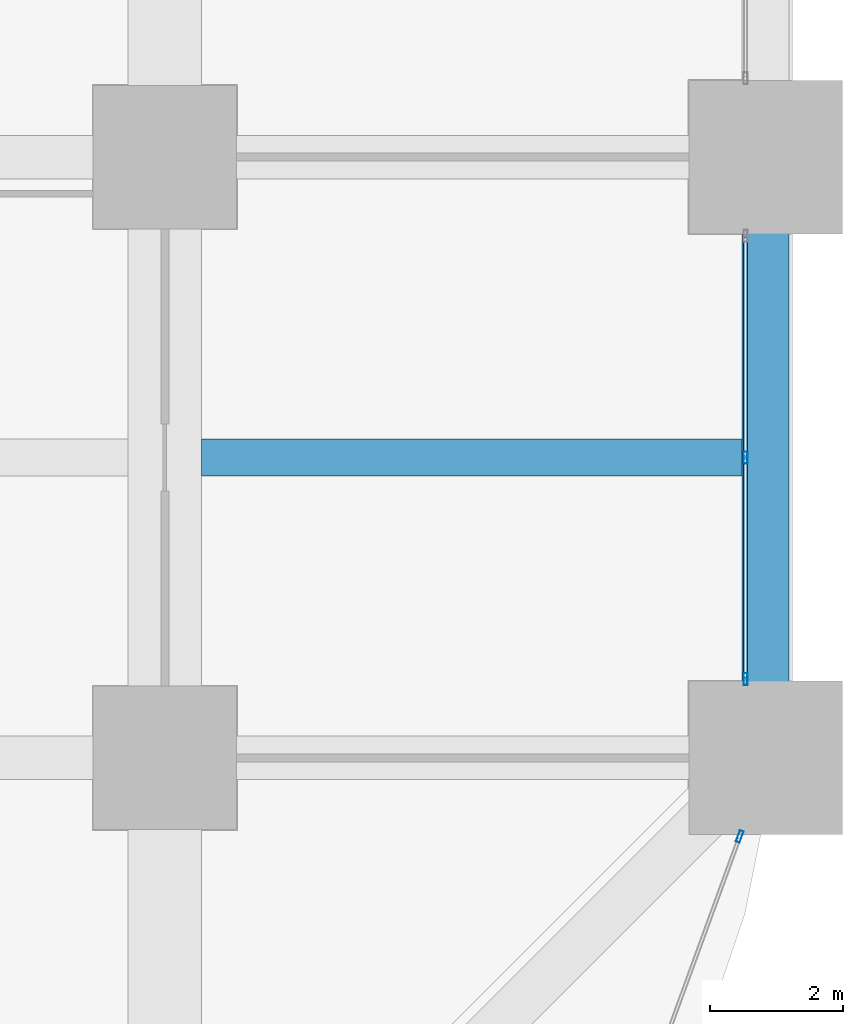
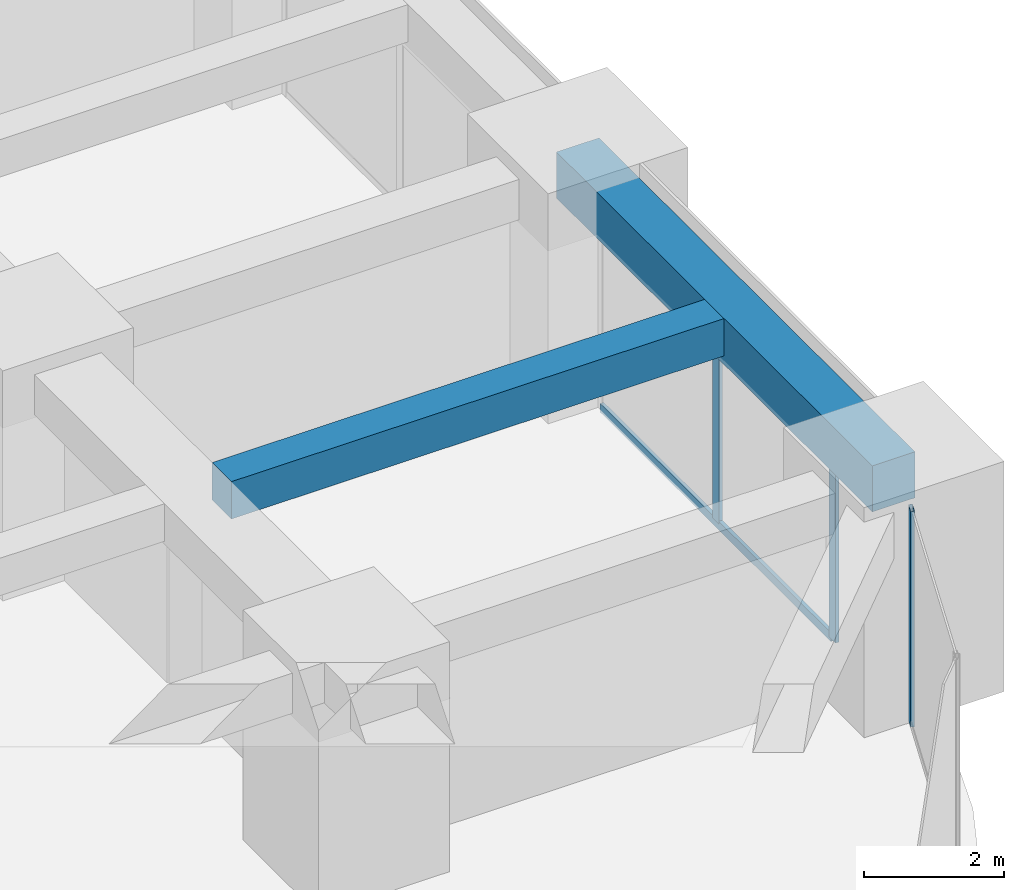
# One storey, part 18 of 44: 4 members, 2 beams, 2 elements without a shape of their own.
"""IFC4 building model written with IfcOpenShell, lengths in metres."""

import ifcopenshell
import ifcopenshell.guid

model = None  # the IFC model being written
_history = None  # IfcOwnerHistory: only IFC2X3 demands one
_inside = {}  # id of a spatial element -> (the spatial element, [elements in it])
_under = {}  # id of a project, library or spatial element -> (it, [spatial elements below it])
_declared = {}  # id of a project -> (the project, [libraries it declares])
_typed = {}  # id of a type object -> (the type object, [elements of that type])
_made_of = {}  # id of a material, layer set ... -> (it, [elements and type objects made of it])


def new_model(schema):
    """Start an empty IFC model of exactly this schema.

    Asked for "IFC4X3", IfcOpenShell would pick the latest addendum, in which some entities
    have other attributes; the version numbers below select the first issue.
    IFC2X3 requires an IfcOwnerHistory on every rooted entity: one is made here for all.
    """
    global model, _history
    if schema == "IFC4X3":
        model = ifcopenshell.file(schema_version=(4, 3, 0, 0))
    else:
        model = ifcopenshell.file(schema=schema)
    _inside.clear()
    _under.clear()
    _declared.clear()
    _typed.clear()
    _made_of.clear()
    _history = None
    if model.schema == "IFC2X3":
        org = make("IfcOrganization", Name="unknown")
        user = make(
            "IfcPersonAndOrganization",
            ThePerson=make("IfcPerson", FamilyName="unknown"),
            TheOrganization=org,
        )
        app = make(
            "IfcApplication",
            ApplicationDeveloper=org,
            Version="unknown",
            ApplicationFullName="unknown",
            ApplicationIdentifier="unknown",
        )
        _history = make(
            "IfcOwnerHistory",
            OwningUser=user,
            OwningApplication=app,
            ChangeAction="ADDED",
            CreationDate=0,
        )
    return model


def make(cls, **values):
    """One entity of the class cls with the attributes given. An attribute that is None is left unset."""
    return model.create_entity(
        cls, **{name: value for name, value in values.items() if value is not None}
    )


def rooted(cls, **values):
    """An entity with a GlobalId (a new one), such as an element, a storey or a relation."""
    return make(cls, GlobalId=ifcopenshell.guid.new(), OwnerHistory=_history, **values)


def si_unit(unit_type, name, prefix=None):
    """IfcSIUnit, for example si_unit("LENGTHUNIT", "METRE", prefix="MILLI")."""
    return make("IfcSIUnit", UnitType=unit_type, Prefix=prefix, Name=name)


def assignment(units):
    """IfcUnitAssignment: the units of a project."""
    return None if units is None else make("IfcUnitAssignment", Units=units)


def point(xyz):
    """IfcCartesianPoint."""
    return None if xyz is None else make("IfcCartesianPoint", Coordinates=xyz)


def direction(xyz):
    """IfcDirection."""
    return None if xyz is None else make("IfcDirection", DirectionRatios=xyz)


def frame(location, z_axis=None, x_axis=None):
    """IfcAxis2Placement3D, a coordinate frame: its origin and axes. An axis left out is left unset."""
    return make(
        "IfcAxis2Placement3D",
        Location=point(location),
        Axis=direction(z_axis),
        RefDirection=direction(x_axis),
    )


def frame_2d(location, x_axis=None):
    """IfcAxis2Placement2D, a coordinate frame in the plane: its origin and x axis."""
    return make(
        "IfcAxis2Placement2D", Location=point(location), RefDirection=direction(x_axis)
    )


def origin():
    """The frame at (0, 0, 0) with its axes left unset."""
    return frame((0.0, 0.0, 0.0))


def origin_2d():
    """The frame at (0, 0) in the plane with its x axis left unset."""
    return frame_2d((0.0, 0.0))


def place(relative_to, where):
    """IfcLocalPlacement: puts the frame where relative to a parent placement (None: the world)."""
    return make(
        "IfcLocalPlacement", PlacementRelTo=relative_to, RelativePlacement=where
    )


def context(
    kind, dimensions, precision=None, world=None, true_north=None, identifier=None
):
    """IfcGeometricRepresentationContext, for example the 3D "Model" context."""
    return make(
        "IfcGeometricRepresentationContext",
        ContextIdentifier=identifier,
        ContextType=kind,
        CoordinateSpaceDimension=dimensions,
        Precision=precision,
        WorldCoordinateSystem=world,
        TrueNorth=true_north,
    )


def subcontext(parent, identifier, kind, view, scale=None):
    """IfcGeometricRepresentationSubContext, for example "Body" below "Model"."""
    return make(
        "IfcGeometricRepresentationSubContext",
        ContextIdentifier=identifier,
        ContextType=kind,
        ParentContext=parent,
        TargetScale=scale,
        TargetView=view,
    )


def project(units=None, contexts=None):
    """IfcProject with its units and contexts."""
    return rooted(
        "IfcProject",
        Name="project",
        RepresentationContexts=contexts,
        UnitsInContext=assignment(units),
    )


def spatial(cls, under=None, at=None, **own):
    """A site, building, storey or space (cls), placed at a placement, below another one or the project."""
    s = rooted(cls, ObjectPlacement=at, **own)
    if under is not None:
        _under.setdefault(under.id(), (under, []))[1].append(s)
    return s


def profile(cls, at=None, kind="AREA", **sizes):
    """A parametric profile (cls). Its sizes go by their IFC names, for example OverallWidth=200.0."""
    return make(cls, ProfileType=kind, Position=at, **sizes)


def rectangle(**sizes):
    """IfcRectangleProfileDef."""
    return profile("IfcRectangleProfileDef", **sizes)


def hollow_rectangle(**sizes):
    """IfcRectangleHollowProfileDef."""
    return profile("IfcRectangleHollowProfileDef", **sizes)


def extrude(swept, where, along, depth):
    """IfcExtrudedAreaSolid: the profile swept, set in the frame where, extruded along a direction by depth."""
    return make(
        "IfcExtrudedAreaSolid",
        SweptArea=swept,
        Position=where,
        ExtrudedDirection=direction(along),
        Depth=depth,
    )


def shape(context_of_items, identifier, shape_type, items):
    """IfcShapeRepresentation: the items that make up one representation, for example the "Body"."""
    return make(
        "IfcShapeRepresentation",
        ContextOfItems=context_of_items,
        RepresentationIdentifier=identifier,
        RepresentationType=shape_type,
        Items=items,
    )


def material(Name=None, Category=None):
    """IfcMaterial."""
    return make("IfcMaterial", Name=Name, Category=Category)


def material_profile(
    of_material, cross_section, Name=None, Category=None, Priority=None
):
    """IfcMaterialProfile: a cross section and its material."""
    return make(
        "IfcMaterialProfile",
        Name=Name,
        Material=of_material,
        Profile=cross_section,
        Priority=Priority,
        Category=Category,
    )


def profile_set(profiles, Name=None, composite=None):
    """IfcMaterialProfileSet."""
    return make(
        "IfcMaterialProfileSet",
        Name=Name,
        MaterialProfiles=profiles,
        CompositeProfile=composite,
    )


def made_of(thing, what):
    """Note that an element or type object is made of a material, layer set ...; save() writes the relation."""
    if what is not None:
        _made_of.setdefault(what.id(), (what, []))[1].append(thing)
    return thing


def type_object(cls, material=None, **own):
    """A type object (cls), such as IfcWallType, which elements share."""
    return made_of(rooted(cls, **own), material)


def element(
    cls,
    number,
    at=None,
    inside=None,
    cuts=None,
    type_object=None,
    material=None,
    context=None,
    identifier="Body",
    shape_type=None,
    held_by="IfcProductDefinitionShape",
    body=None,
    shapes=None,
    **own,
):
    """One element of the class cls, such as IfcWall. Its Tag is "e" and its number.

    at: its placement. inside: the storey or other place that contains it. cuts: it is an
    opening in that element (IfcRelVoidsElement). A single representation is given by context,
    identifier, shape_type and body (its items); several are given by shapes. held_by: the class
    of the entity that holds the representations. save() writes the other relations.
    """
    e = rooted(cls, Tag="e%d" % number, ObjectPlacement=at, **own)
    if body is not None:
        shapes = [shape(context, identifier, shape_type, body)]
    if shapes is not None:
        e.Representation = make(held_by, Representations=shapes)
    if inside is not None:
        _inside.setdefault(inside.id(), (inside, []))[1].append(e)
    if cuts is not None:
        rooted(
            "IfcRelVoidsElement", RelatingBuildingElement=cuts, RelatedOpeningElement=e
        )
    if type_object is not None:
        _typed.setdefault(type_object.id(), (type_object, []))[1].append(e)
    return made_of(e, material)


def aggregate(whole, parts):
    """IfcRelAggregates: a whole, such as a stair, and the parts it consists of."""
    return rooted("IfcRelAggregates", RelatingObject=whole, RelatedObjects=parts)


def save(model, path):
    """Write the relations noted so far, then the file.

    IfcRelAggregates (storeys below a building ...), IfcRelContainedInSpatialStructure (elements
    in a storey), IfcRelDefinesByType, IfcRelAssociatesMaterial and IfcRelDeclares: one each for
    every whole, place, type object, material and project.
    """
    for whole, parts in _under.values():
        aggregate(whole, parts)
    for where, things in _inside.values():
        rooted(
            "IfcRelContainedInSpatialStructure",
            RelatedElements=things,
            RelatingStructure=where,
        )
    for kind, things in _typed.values():
        rooted("IfcRelDefinesByType", RelatedObjects=things, RelatingType=kind)
    for what, things in _made_of.values():
        rooted("IfcRelAssociatesMaterial", RelatedObjects=things, RelatingMaterial=what)
    for by, libraries in _declared.values():
        rooted("IfcRelDeclares", RelatingContext=by, RelatedDefinitions=libraries)
    model.write(path)


model = new_model("IFC4")

# Units and contexts
model_context = context("Model", 3, precision=1e-05, world=origin(), true_north=direction((0.0, 1.0)))
body_context = subcontext(model_context, "Body", "Model", "MODEL_VIEW")
ifc_project = project(units=[si_unit("LENGTHUNIT", "METRE"), si_unit("AREAUNIT", "SQUARE_METRE"), si_unit("VOLUMEUNIT", "CUBIC_METRE"), si_unit("PLANEANGLEUNIT", "RADIAN"), si_unit("MASSUNIT", "GRAM", prefix="KILO")], contexts=[model_context])

# Site, building, storey
site_placement = place(None, origin())
site = spatial("IfcSite", under=ifc_project, at=site_placement, CompositionType="ELEMENT")
building_placement = place(site_placement, origin())
building = spatial("IfcBuilding", under=site, at=building_placement, Name="Zorevar Civic Tower", CompositionType="ELEMENT")
storey_placement = place(building_placement, frame((0.0, 0.0, 59.800048828125)))
storey = spatial("IfcBuildingStorey", under=building, at=storey_placement, Name="L14", CompositionType="ELEMENT", Elevation=59.800048828125)

# Beam
ifc_material_1 = material(Name="Concrete C50/60", Category="concrete")
ifc_material_profile_1 = material_profile(ifc_material_1, rectangle(XDim=0.550048828125, YDim=0.64990234375, at=origin_2d()), Name="RC 550x650")
ifc_profile_set_1 = profile_set([ifc_material_profile_1], Name="Concrete C50/60")
beam_type_1 = type_object("IfcBeamType", Name="Beam RC 550x650", PredefinedType="BEAM", material=ifc_profile_set_1)
beam_1_placement = place(storey_placement, frame((54.550048828125, 13.5, 3.425048828125), z_axis=(1.0, 0.0, 0.0), x_axis=(0.0, 1.0, 0.0)))
element("IfcBeam", 1, at=beam_1_placement, inside=storey, type_object=beam_type_1, Name="Secondary beam L15", PredefinedType="BEAM", context=body_context, shape_type="SweptSolid", body=[
    extrude(rectangle(XDim=0.550048828125, YDim=0.64990234375, at=origin_2d()), origin(), (0.0, 0.0, 1.0), 8.099853515625),
])

# Curtain wall, members
ifc_material_2 = material(Name="Dark grey solar-control glass in black aluminium frame", Category="aluminium")
curtain_wall_type = type_object("IfcCurtainWallType", Name="Curtain wall CW2 low zone", PredefinedType="NOTDEFINED", material=ifc_material_2)
curtain_wall_1_placement = place(storey_placement, origin())
curtain_wall_1 = element("IfcCurtainWall", 2, at=curtain_wall_1_placement, inside=storey, type_object=curtain_wall_type, Name="CW2 L14", PredefinedType="NOTDEFINED")
ifc_material_3 = material(Name="Aluminium, black anodised", Category="aluminium")
ifc_material_profile_2 = material_profile(ifc_material_3, hollow_rectangle(XDim=0.06005859375, YDim=0.179931640625, WallThickness=0.00390625, at=origin_2d()), Name="AL 180x60x4")
ifc_profile_set_2 = profile_set([ifc_material_profile_2], Name="Aluminium, black anodised")
member_type_1 = type_object("IfcMemberType", Name="CW2 mullion AL 180x60x4", PredefinedType="MULLION", material=ifc_profile_set_2)
member_1_placement = place(storey_placement, frame((62.699951171875, 10.179931640625, 0.0), z_axis=(0.0, 0.0, 1.0), x_axis=(-1.0, 0.0, 0.0)))
member_1 = element("IfcMember", 3, at=member_1_placement, type_object=member_type_1, Name="CW2 mullion 1", PredefinedType="MULLION", context=body_context, shape_type="SweptSolid", body=[
    extrude(hollow_rectangle(XDim=0.06005859375, YDim=0.179931640625, WallThickness=0.00390625, at=origin_2d()), origin(), (0.0, 0.0, 1.0), 2.949951171875),
])
member_2_placement = place(storey_placement, frame((62.699951171875, 13.5, 0.06005859375), z_axis=(0.0, 0.0, 1.0), x_axis=(-1.0, 0.0, 0.0)))
member_2 = element("IfcMember", 4, at=member_2_placement, type_object=member_type_1, Name="CW2 mullion 2", PredefinedType="MULLION", context=body_context, shape_type="SweptSolid", body=[
    extrude(hollow_rectangle(XDim=0.06005859375, YDim=0.179931640625, WallThickness=0.00390625, at=origin_2d()), origin(), (0.0, 0.0, 1.0), 2.889892578125),
])

# Curtain wall, member
curtain_wall_2_placement = place(storey_placement, origin())
curtain_wall_2 = element("IfcCurtainWall", 5, at=curtain_wall_2_placement, inside=storey, type_object=curtain_wall_type, Name="CW2 L14", PredefinedType="NOTDEFINED")
member_3_placement = place(storey_placement, frame((62.61328125, 7.82177734375, 0.0), z_axis=(0.0, 0.0, 1.0), x_axis=(-0.939313345732, 0.343060400701, 0.0)))
member_3 = element("IfcMember", 6, at=member_3_placement, type_object=member_type_1, Name="CW2 mullion 2", PredefinedType="MULLION", context=body_context, shape_type="SweptSolid", body=[
    extrude(hollow_rectangle(XDim=0.06005859375, YDim=0.179931640625, WallThickness=0.00390625, at=origin_2d()), origin(), (0.0, 0.0, 1.0), 3.75),
])
aggregate(curtain_wall_2, [member_3])

# Member
ifc_material_4 = material(Name="Aluminium, black anodised", Category="aluminium")
ifc_material_profile_3 = material_profile(ifc_material_4, hollow_rectangle(XDim=0.06005859375, YDim=0.14990234375, WallThickness=0.00390625, at=origin_2d()), Name="AL 150x60x4")
ifc_profile_set_3 = profile_set([ifc_material_profile_3], Name="Aluminium, black anodised")
member_type_2 = type_object("IfcMemberType", Name="CW2 transom AL 150x60x4", PredefinedType="USERDEFINED", material=ifc_profile_set_3)
member_4_placement = place(storey_placement, frame((62.699951171875, 10.2099609375, 0.030029296875), z_axis=(0.0, 1.0, 0.0), x_axis=(-1.0, 0.0, 0.0)))
member_4 = element("IfcMember", 7, at=member_4_placement, type_object=member_type_2, Name="CW2 sill transom", ObjectType="TRANSOM", PredefinedType="USERDEFINED", context=body_context, shape_type="SweptSolid", body=[
    extrude(hollow_rectangle(XDim=0.06005859375, YDim=0.14990234375, WallThickness=0.00390625, at=origin_2d()), origin(), (0.0, 0.0, 1.0), 6.580078125),
])

aggregate(curtain_wall_1, [member_1, member_2, member_4])

# Beam
ifc_material_5 = material(Name="Concrete C50/60", Category="concrete")
ifc_material_profile_4 = material_profile(ifc_material_5, rectangle(XDim=0.699951171875, YDim=0.800048828125, at=origin_2d()), Name="RC 700x800")
ifc_profile_set_4 = profile_set([ifc_material_profile_4], Name="Concrete C50/60")
beam_type_2 = type_object("IfcBeamType", Name="Edge beam RC 700x800", PredefinedType="SPANDREL", material=ifc_profile_set_4)
beam_2_placement = place(storey_placement, frame((63.0, 9.0, 3.349853515625), z_axis=(0.0, 1.0, 0.0), x_axis=(-1.0, 0.0, 0.0)))
element("IfcBeam", 8, at=beam_2_placement, inside=storey, type_object=beam_type_2, Name="Edge beam L15", PredefinedType="SPANDREL", context=body_context, shape_type="SweptSolid", body=[
    extrude(rectangle(XDim=0.699951171875, YDim=0.800048828125, at=origin_2d()), origin(), (0.0, 0.0, 1.0), 9.0),
])

save(model, "model.ifc")
